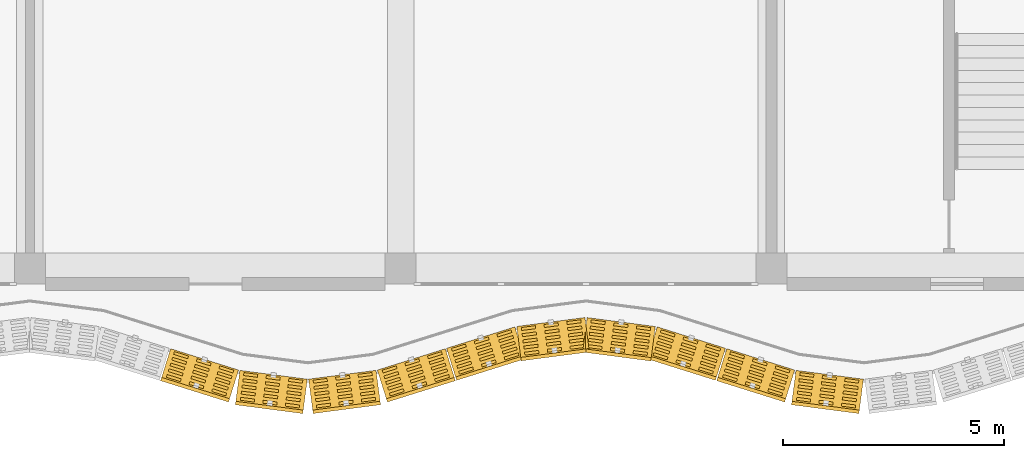
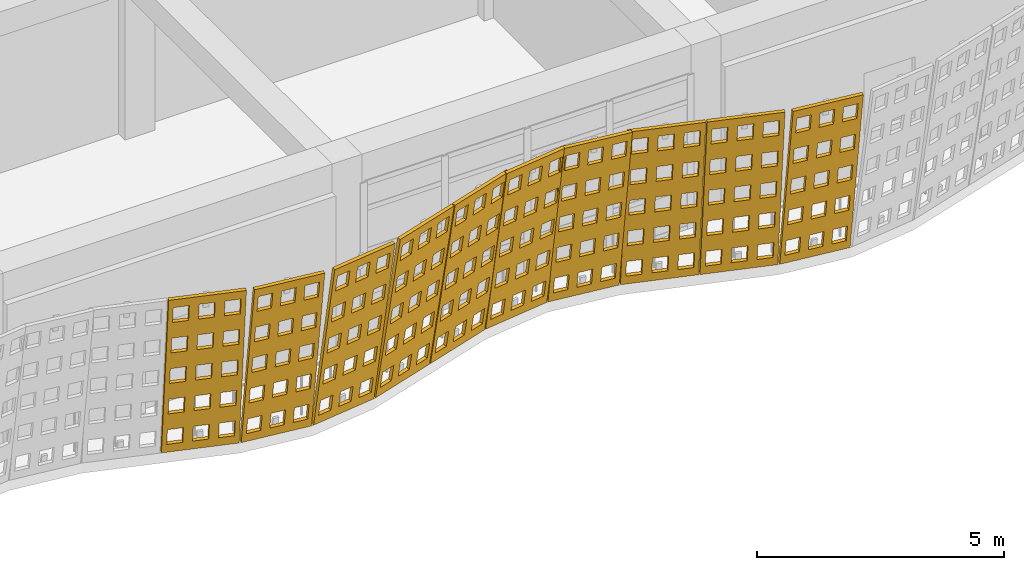
# One storey, part 153 of 163: 10 coverings.
"""IFC4 building model written with IfcOpenShell, lengths in metres."""

from ifc_helpers import new_model, si_unit, direction, frame, origin, place, context, subcontext, project, spatial, polyline, outline, extrude, material, layer, layer_set, type_object, element, save


model = new_model("IFC4")

# Units and contexts
model_context = context("Model", 3, precision=1e-05, world=origin(), true_north=direction((0.0, 1.0)))
body_context = subcontext(model_context, "Body", "Model", "MODEL_VIEW")
ifc_project = project(units=[si_unit("LENGTHUNIT", "METRE"), si_unit("AREAUNIT", "SQUARE_METRE"), si_unit("VOLUMEUNIT", "CUBIC_METRE"), si_unit("PLANEANGLEUNIT", "RADIAN"), si_unit("MASSUNIT", "GRAM", prefix="KILO")], contexts=[model_context])

# Site, building, storey
site_placement = place(None, origin())
site = spatial("IfcSite", under=ifc_project, at=site_placement, CompositionType="ELEMENT")
building_placement = place(site_placement, origin())
building = spatial("IfcBuilding", under=site, at=building_placement, Name="Rain Tree Exposition and Congress Centre", CompositionType="ELEMENT")
storey_placement = place(building_placement, frame((0.0, 0.0, 10.5)))
storey = spatial("IfcBuildingStorey", under=building, at=storey_placement, Name="L02", CompositionType="ELEMENT", Elevation=10.5)

# Coverings
ifc_material = material(Name="Perforated terracotta", Category="masonry")
ifc_layer = layer(ifc_material, 0.080078125)
ifc_layer_set = layer_set([ifc_layer], Name="Perforated terracotta")
covering_type = type_object("IfcCoveringType", Name="Terracotta screen 80", PredefinedType="CLADDING", material=ifc_layer_set)
covering_1_placement = place(storey_placement, frame((28.35009765625, -1.8876953125, 0.0), z_axis=(0.295717964052, 0.942029390639, 0.158529217842), x_axis=(-0.954094597562, 0.29950542383, 0.0)))
element("IfcCovering", 1, at=covering_1_placement, inside=storey, type_object=covering_type, Name="wing/screen/L02/019", PredefinedType="CLADDING", context=body_context, shape_type="SweptSolid", body=[
    extrude(outline(polyline([(-1.62890625, 0.0), (-1.62890625, 4.291259765625), (-0.014892578125, 4.291259765625), (-0.014892578125, 0.0), (-1.62890625, 0.0)]), holes=[polyline([(-0.1171875, 0.221435546875), (-0.1171875, 0.63671875), (-0.45068359375, 0.63671875), (-0.45068359375, 0.221435546875), (-0.1171875, 0.221435546875)]), polyline([(-0.1171875, 1.07958984375), (-0.1171875, 1.4951171875), (-0.45068359375, 1.4951171875), (-0.45068359375, 1.07958984375), (-0.1171875, 1.07958984375)]), polyline([(-0.1171875, 1.93798828125), (-0.1171875, 2.353271484375), (-0.45068359375, 2.353271484375), (-0.45068359375, 1.93798828125), (-0.1171875, 1.93798828125)]), polyline([(-0.1171875, 2.796142578125), (-0.1171875, 3.21142578125), (-0.45068359375, 3.21142578125), (-0.45068359375, 2.796142578125), (-0.1171875, 2.796142578125)]), polyline([(-0.1171875, 3.654541015625), (-0.1171875, 4.06982421875), (-0.45068359375, 4.06982421875), (-0.45068359375, 3.654541015625), (-0.1171875, 3.654541015625)]), polyline([(-0.6552734375, 0.221435546875), (-0.6552734375, 0.63671875), (-0.98876953125, 0.63671875), (-0.98876953125, 0.221435546875), (-0.6552734375, 0.221435546875)]), polyline([(-0.6552734375, 1.07958984375), (-0.6552734375, 1.4951171875), (-0.98876953125, 1.4951171875), (-0.98876953125, 1.07958984375), (-0.6552734375, 1.07958984375)]), polyline([(-0.6552734375, 1.93798828125), (-0.6552734375, 2.353271484375), (-0.98876953125, 2.353271484375), (-0.98876953125, 1.93798828125), (-0.6552734375, 1.93798828125)]), polyline([(-0.6552734375, 2.796142578125), (-0.6552734375, 3.21142578125), (-0.98876953125, 3.21142578125), (-0.98876953125, 2.796142578125), (-0.6552734375, 2.796142578125)]), polyline([(-0.6552734375, 3.654541015625), (-0.6552734375, 4.06982421875), (-0.98876953125, 4.06982421875), (-0.98876953125, 3.654541015625), (-0.6552734375, 3.654541015625)]), polyline([(-1.193115234375, 0.221435546875), (-1.193115234375, 0.63671875), (-1.526611328125, 0.63671875), (-1.526611328125, 0.221435546875), (-1.193115234375, 0.221435546875)]), polyline([(-1.193115234375, 1.07958984375), (-1.193115234375, 1.4951171875), (-1.526611328125, 1.4951171875), (-1.526611328125, 1.07958984375), (-1.193115234375, 1.07958984375)]), polyline([(-1.193115234375, 1.93798828125), (-1.193115234375, 2.353271484375), (-1.526611328125, 2.353271484375), (-1.526611328125, 1.93798828125), (-1.193115234375, 1.93798828125)]), polyline([(-1.193115234375, 2.796142578125), (-1.193115234375, 3.21142578125), (-1.526611328125, 3.21142578125), (-1.526611328125, 2.796142578125), (-1.193115234375, 2.796142578125)]), polyline([(-1.193115234375, 3.654541015625), (-1.193115234375, 4.06982421875), (-1.526611328125, 4.06982421875), (-1.526611328125, 3.654541015625), (-1.193115234375, 3.654541015625)])]), origin(), (0.0, 0.0, 1.0), 0.080078125),
])
covering_2_placement = place(storey_placement, frame((29.925048828125, -2.382568359375, 0.0), z_axis=(0.127967328105, 0.978036007662, 0.16452942185), x_axis=(-0.991548658387, 0.129735338481, 0.0)))
element("IfcCovering", 2, at=covering_2_placement, inside=storey, type_object=covering_type, Name="wing/screen/L02/020", PredefinedType="CLADDING", context=body_context, shape_type="SweptSolid", body=[
    extrude(outline(polyline([(-1.56298828125, 0.0), (-1.56298828125, 4.295166015625), (-0.02197265625, 4.295166015625), (-0.02197265625, 0.0), (-1.56298828125, 0.0)]), holes=[polyline([(-0.11962890625, 0.2216796875), (-0.11962890625, 0.63720703125), (-0.43798828125, 0.63720703125), (-0.43798828125, 0.2216796875), (-0.11962890625, 0.2216796875)]), polyline([(-0.11962890625, 1.080810546875), (-0.11962890625, 1.496337890625), (-0.43798828125, 1.496337890625), (-0.43798828125, 1.080810546875), (-0.11962890625, 1.080810546875)]), polyline([(-0.11962890625, 1.939697265625), (-0.11962890625, 2.35546875), (-0.43798828125, 2.35546875), (-0.43798828125, 1.939697265625), (-0.11962890625, 1.939697265625)]), polyline([(-0.11962890625, 2.798583984375), (-0.11962890625, 3.21435546875), (-0.43798828125, 3.21435546875), (-0.43798828125, 2.798583984375), (-0.11962890625, 2.798583984375)]), polyline([(-0.11962890625, 3.65771484375), (-0.11962890625, 4.073486328125), (-0.43798828125, 4.073486328125), (-0.43798828125, 3.65771484375), (-0.11962890625, 3.65771484375)]), polyline([(-0.63330078125, 0.2216796875), (-0.63330078125, 0.63720703125), (-0.95166015625, 0.63720703125), (-0.95166015625, 0.2216796875), (-0.63330078125, 0.2216796875)]), polyline([(-0.63330078125, 1.080810546875), (-0.63330078125, 1.496337890625), (-0.95166015625, 1.496337890625), (-0.95166015625, 1.080810546875), (-0.63330078125, 1.080810546875)]), polyline([(-0.63330078125, 1.939697265625), (-0.63330078125, 2.35546875), (-0.95166015625, 2.35546875), (-0.95166015625, 1.939697265625), (-0.63330078125, 1.939697265625)]), polyline([(-0.63330078125, 2.798583984375), (-0.63330078125, 3.21435546875), (-0.95166015625, 3.21435546875), (-0.95166015625, 2.798583984375), (-0.63330078125, 2.798583984375)]), polyline([(-0.63330078125, 3.65771484375), (-0.63330078125, 4.073486328125), (-0.95166015625, 4.073486328125), (-0.95166015625, 3.65771484375), (-0.63330078125, 3.65771484375)]), polyline([(-1.146728515625, 0.2216796875), (-1.146728515625, 0.63720703125), (-1.46533203125, 0.63720703125), (-1.46533203125, 0.2216796875), (-1.146728515625, 0.2216796875)]), polyline([(-1.146728515625, 1.080810546875), (-1.146728515625, 1.496337890625), (-1.46533203125, 1.496337890625), (-1.46533203125, 1.080810546875), (-1.146728515625, 1.080810546875)]), polyline([(-1.146728515625, 1.939697265625), (-1.146728515625, 2.35546875), (-1.46533203125, 2.35546875), (-1.46533203125, 1.939697265625), (-1.146728515625, 1.939697265625)]), polyline([(-1.146728515625, 2.798583984375), (-1.146728515625, 3.21435546875), (-1.46533203125, 3.21435546875), (-1.46533203125, 2.798583984375), (-1.146728515625, 2.798583984375)]), polyline([(-1.146728515625, 3.65771484375), (-1.146728515625, 4.073486328125), (-1.46533203125, 4.073486328125), (-1.46533203125, 3.65771484375), (-1.146728515625, 3.65771484375)])]), origin(), (0.0, 0.0, 1.0), 0.080078125),
])
covering_3_placement = place(storey_placement, frame((31.5, -2.587646484375, 0.0), z_axis=(-0.127967328105, 0.978036007662, 0.16452942185), x_axis=(-0.991548658387, -0.129735338481, 0.0)))
element("IfcCovering", 3, at=covering_3_placement, inside=storey, type_object=covering_type, Name="wing/screen/L02/021", PredefinedType="CLADDING", context=body_context, shape_type="SweptSolid", body=[
    extrude(outline(polyline([(-1.56640625, 0.0), (-1.56640625, 4.295166015625), (-0.025390625, 4.295166015625), (-0.025390625, 0.0), (-1.56640625, 0.0)]), holes=[polyline([(-0.123046875, 0.2216796875), (-0.123046875, 0.63720703125), (-0.44140625, 0.63720703125), (-0.44140625, 0.2216796875), (-0.123046875, 0.2216796875)]), polyline([(-0.123046875, 1.080810546875), (-0.123046875, 1.496337890625), (-0.44140625, 1.496337890625), (-0.44140625, 1.080810546875), (-0.123046875, 1.080810546875)]), polyline([(-0.123046875, 1.939697265625), (-0.123046875, 2.35546875), (-0.44140625, 2.35546875), (-0.44140625, 1.939697265625), (-0.123046875, 1.939697265625)]), polyline([(-0.123046875, 2.798583984375), (-0.123046875, 3.21435546875), (-0.44140625, 3.21435546875), (-0.44140625, 2.798583984375), (-0.123046875, 2.798583984375)]), polyline([(-0.123046875, 3.65771484375), (-0.123046875, 4.073486328125), (-0.44140625, 4.073486328125), (-0.44140625, 3.65771484375), (-0.123046875, 3.65771484375)]), polyline([(-0.63671875, 0.2216796875), (-0.63671875, 0.63720703125), (-0.955078125, 0.63720703125), (-0.955078125, 0.2216796875), (-0.63671875, 0.2216796875)]), polyline([(-0.63671875, 1.080810546875), (-0.63671875, 1.496337890625), (-0.955078125, 1.496337890625), (-0.955078125, 1.080810546875), (-0.63671875, 1.080810546875)]), polyline([(-0.63671875, 1.939697265625), (-0.63671875, 2.35546875), (-0.955078125, 2.35546875), (-0.955078125, 1.939697265625), (-0.63671875, 1.939697265625)]), polyline([(-0.63671875, 2.798583984375), (-0.63671875, 3.21435546875), (-0.955078125, 3.21435546875), (-0.955078125, 2.798583984375), (-0.63671875, 2.798583984375)]), polyline([(-0.63671875, 3.65771484375), (-0.63671875, 4.073486328125), (-0.955078125, 4.073486328125), (-0.955078125, 3.65771484375), (-0.63671875, 3.65771484375)]), polyline([(-1.150146484375, 0.2216796875), (-1.150146484375, 0.63720703125), (-1.46875, 0.63720703125), (-1.46875, 0.2216796875), (-1.150146484375, 0.2216796875)]), polyline([(-1.150146484375, 1.080810546875), (-1.150146484375, 1.496337890625), (-1.46875, 1.496337890625), (-1.46875, 1.080810546875), (-1.150146484375, 1.080810546875)]), polyline([(-1.150146484375, 1.939697265625), (-1.150146484375, 2.35546875), (-1.46875, 2.35546875), (-1.46875, 1.939697265625), (-1.150146484375, 1.939697265625)]), polyline([(-1.150146484375, 2.798583984375), (-1.150146484375, 3.21435546875), (-1.46875, 3.21435546875), (-1.46875, 2.798583984375), (-1.150146484375, 2.798583984375)]), polyline([(-1.150146484375, 3.65771484375), (-1.150146484375, 4.073486328125), (-1.46875, 4.073486328125), (-1.46875, 3.65771484375), (-1.150146484375, 3.65771484375)])]), origin(), (0.0, 0.0, 1.0), 0.080078125),
])
covering_4_placement = place(storey_placement, frame((33.074951171875, -2.382568359375, 0.0), z_axis=(-0.295717964052, 0.942029390639, 0.158529217842), x_axis=(-0.954094597562, -0.29950542383, 0.0)))
element("IfcCovering", 4, at=covering_4_placement, inside=storey, type_object=covering_type, Name="wing/screen/L02/022", PredefinedType="CLADDING", context=body_context, shape_type="SweptSolid", body=[
    extrude(outline(polyline([(-1.635986328125, 0.0), (-1.635986328125, 4.291259765625), (-0.02197265625, 4.291259765625), (-0.02197265625, 0.0), (-1.635986328125, 0.0)]), holes=[polyline([(-0.124267578125, 0.221435546875), (-0.124267578125, 0.63671875), (-0.457763671875, 0.63671875), (-0.457763671875, 0.221435546875), (-0.124267578125, 0.221435546875)]), polyline([(-0.124267578125, 1.07958984375), (-0.124267578125, 1.4951171875), (-0.457763671875, 1.4951171875), (-0.457763671875, 1.07958984375), (-0.124267578125, 1.07958984375)]), polyline([(-0.124267578125, 1.93798828125), (-0.124267578125, 2.353271484375), (-0.457763671875, 2.353271484375), (-0.457763671875, 1.93798828125), (-0.124267578125, 1.93798828125)]), polyline([(-0.124267578125, 2.796142578125), (-0.124267578125, 3.21142578125), (-0.457763671875, 3.21142578125), (-0.457763671875, 2.796142578125), (-0.124267578125, 2.796142578125)]), polyline([(-0.124267578125, 3.654541015625), (-0.124267578125, 4.06982421875), (-0.457763671875, 4.06982421875), (-0.457763671875, 3.654541015625), (-0.124267578125, 3.654541015625)]), polyline([(-0.662109375, 0.221435546875), (-0.662109375, 0.63671875), (-0.995849609375, 0.63671875), (-0.995849609375, 0.221435546875), (-0.662109375, 0.221435546875)]), polyline([(-0.662109375, 1.07958984375), (-0.662109375, 1.4951171875), (-0.995849609375, 1.4951171875), (-0.995849609375, 1.07958984375), (-0.662109375, 1.07958984375)]), polyline([(-0.662109375, 1.93798828125), (-0.662109375, 2.353271484375), (-0.995849609375, 2.353271484375), (-0.995849609375, 1.93798828125), (-0.662109375, 1.93798828125)]), polyline([(-0.662109375, 2.796142578125), (-0.662109375, 3.21142578125), (-0.995849609375, 3.21142578125), (-0.995849609375, 2.796142578125), (-0.662109375, 2.796142578125)]), polyline([(-0.662109375, 3.654541015625), (-0.662109375, 4.06982421875), (-0.995849609375, 4.06982421875), (-0.995849609375, 3.654541015625), (-0.662109375, 3.654541015625)]), polyline([(-1.2001953125, 0.221435546875), (-1.2001953125, 0.63671875), (-1.53369140625, 0.63671875), (-1.53369140625, 0.221435546875), (-1.2001953125, 0.221435546875)]), polyline([(-1.2001953125, 1.07958984375), (-1.2001953125, 1.4951171875), (-1.53369140625, 1.4951171875), (-1.53369140625, 1.07958984375), (-1.2001953125, 1.07958984375)]), polyline([(-1.2001953125, 1.93798828125), (-1.2001953125, 2.353271484375), (-1.53369140625, 2.353271484375), (-1.53369140625, 1.93798828125), (-1.2001953125, 1.93798828125)]), polyline([(-1.2001953125, 2.796142578125), (-1.2001953125, 3.21142578125), (-1.53369140625, 3.21142578125), (-1.53369140625, 2.796142578125), (-1.2001953125, 2.796142578125)]), polyline([(-1.2001953125, 3.654541015625), (-1.2001953125, 4.06982421875), (-1.53369140625, 4.06982421875), (-1.53369140625, 3.654541015625), (-1.2001953125, 3.654541015625)])]), origin(), (0.0, 0.0, 1.0), 0.080078125),
])
covering_5_placement = place(storey_placement, frame((34.64990234375, -1.8876953125, 0.0), z_axis=(-0.295717964052, 0.942029390639, 0.158529217842), x_axis=(-0.954094597562, -0.29950542383, 0.0)))
element("IfcCovering", 5, at=covering_5_placement, inside=storey, type_object=covering_type, Name="wing/screen/L02/023", PredefinedType="CLADDING", context=body_context, shape_type="SweptSolid", body=[
    extrude(outline(polyline([(-1.635986328125, 0.0), (-1.635986328125, 4.291259765625), (-0.014892578125, 4.291259765625), (-0.014892578125, 0.0), (-1.635986328125, 0.0)]), holes=[polyline([(-0.11767578125, 0.221435546875), (-0.11767578125, 0.63671875), (-0.45263671875, 0.63671875), (-0.45263671875, 0.221435546875), (-0.11767578125, 0.221435546875)]), polyline([(-0.11767578125, 1.07958984375), (-0.11767578125, 1.4951171875), (-0.45263671875, 1.4951171875), (-0.45263671875, 1.07958984375), (-0.11767578125, 1.07958984375)]), polyline([(-0.11767578125, 1.93798828125), (-0.11767578125, 2.353271484375), (-0.45263671875, 2.353271484375), (-0.45263671875, 1.93798828125), (-0.11767578125, 1.93798828125)]), polyline([(-0.11767578125, 2.796142578125), (-0.11767578125, 3.21142578125), (-0.45263671875, 3.21142578125), (-0.45263671875, 2.796142578125), (-0.11767578125, 2.796142578125)]), polyline([(-0.11767578125, 3.654541015625), (-0.11767578125, 4.06982421875), (-0.45263671875, 4.06982421875), (-0.45263671875, 3.654541015625), (-0.11767578125, 3.654541015625)]), polyline([(-0.657958984375, 0.221435546875), (-0.657958984375, 0.63671875), (-0.992919921875, 0.63671875), (-0.992919921875, 0.221435546875), (-0.657958984375, 0.221435546875)]), polyline([(-0.657958984375, 1.07958984375), (-0.657958984375, 1.4951171875), (-0.992919921875, 1.4951171875), (-0.992919921875, 1.07958984375), (-0.657958984375, 1.07958984375)]), polyline([(-0.657958984375, 1.93798828125), (-0.657958984375, 2.353271484375), (-0.992919921875, 2.353271484375), (-0.992919921875, 1.93798828125), (-0.657958984375, 1.93798828125)]), polyline([(-0.657958984375, 2.796142578125), (-0.657958984375, 3.21142578125), (-0.992919921875, 3.21142578125), (-0.992919921875, 2.796142578125), (-0.657958984375, 2.796142578125)]), polyline([(-0.657958984375, 3.654541015625), (-0.657958984375, 4.06982421875), (-0.992919921875, 4.06982421875), (-0.992919921875, 3.654541015625), (-0.657958984375, 3.654541015625)]), polyline([(-1.1982421875, 0.221435546875), (-1.1982421875, 0.63671875), (-1.533203125, 0.63671875), (-1.533203125, 0.221435546875), (-1.1982421875, 0.221435546875)]), polyline([(-1.1982421875, 1.07958984375), (-1.1982421875, 1.4951171875), (-1.533203125, 1.4951171875), (-1.533203125, 1.07958984375), (-1.1982421875, 1.07958984375)]), polyline([(-1.1982421875, 1.93798828125), (-1.1982421875, 2.353271484375), (-1.533203125, 2.353271484375), (-1.533203125, 1.93798828125), (-1.1982421875, 1.93798828125)]), polyline([(-1.1982421875, 2.796142578125), (-1.1982421875, 3.21142578125), (-1.533203125, 3.21142578125), (-1.533203125, 2.796142578125), (-1.1982421875, 2.796142578125)]), polyline([(-1.1982421875, 3.654541015625), (-1.1982421875, 4.06982421875), (-1.533203125, 4.06982421875), (-1.533203125, 3.654541015625), (-1.1982421875, 3.654541015625)])]), origin(), (0.0, 0.0, 1.0), 0.080078125),
])
covering_6_placement = place(storey_placement, frame((36.22509765625, -1.392578125, 0.0), z_axis=(-0.127967328105, 0.978036007662, 0.16452942185), x_axis=(-0.991548658387, -0.129735338481, 0.0)))
element("IfcCovering", 6, at=covering_6_placement, inside=storey, type_object=covering_type, Name="wing/screen/L02/024", PredefinedType="CLADDING", context=body_context, shape_type="SweptSolid", body=[
    extrude(outline(polyline([(-1.5732421875, 0.0), (-1.5732421875, 4.295166015625), (-0.014892578125, 4.295166015625), (-0.014892578125, 0.0), (-1.5732421875, 0.0)]), holes=[polyline([(-0.11376953125, 0.2216796875), (-0.11376953125, 0.63720703125), (-0.435791015625, 0.63720703125), (-0.435791015625, 0.2216796875), (-0.11376953125, 0.2216796875)]), polyline([(-0.11376953125, 1.080810546875), (-0.11376953125, 1.496337890625), (-0.435791015625, 1.496337890625), (-0.435791015625, 1.080810546875), (-0.11376953125, 1.080810546875)]), polyline([(-0.11376953125, 1.939697265625), (-0.11376953125, 2.35546875), (-0.435791015625, 2.35546875), (-0.435791015625, 1.939697265625), (-0.11376953125, 1.939697265625)]), polyline([(-0.11376953125, 2.798583984375), (-0.11376953125, 3.21435546875), (-0.435791015625, 3.21435546875), (-0.435791015625, 2.798583984375), (-0.11376953125, 2.798583984375)]), polyline([(-0.11376953125, 3.65771484375), (-0.11376953125, 4.073486328125), (-0.435791015625, 4.073486328125), (-0.435791015625, 3.65771484375), (-0.11376953125, 3.65771484375)]), polyline([(-0.633056640625, 0.2216796875), (-0.633056640625, 0.63720703125), (-0.955078125, 0.63720703125), (-0.955078125, 0.2216796875), (-0.633056640625, 0.2216796875)]), polyline([(-0.633056640625, 1.080810546875), (-0.633056640625, 1.496337890625), (-0.955078125, 1.496337890625), (-0.955078125, 1.080810546875), (-0.633056640625, 1.080810546875)]), polyline([(-0.633056640625, 1.939697265625), (-0.633056640625, 2.35546875), (-0.955078125, 2.35546875), (-0.955078125, 1.939697265625), (-0.633056640625, 1.939697265625)]), polyline([(-0.633056640625, 2.798583984375), (-0.633056640625, 3.21435546875), (-0.955078125, 3.21435546875), (-0.955078125, 2.798583984375), (-0.633056640625, 2.798583984375)]), polyline([(-0.633056640625, 3.65771484375), (-0.633056640625, 4.073486328125), (-0.955078125, 4.073486328125), (-0.955078125, 3.65771484375), (-0.633056640625, 3.65771484375)]), polyline([(-1.152587890625, 0.2216796875), (-1.152587890625, 0.63720703125), (-1.474609375, 0.63720703125), (-1.474609375, 0.2216796875), (-1.152587890625, 0.2216796875)]), polyline([(-1.152587890625, 1.080810546875), (-1.152587890625, 1.496337890625), (-1.474609375, 1.496337890625), (-1.474609375, 1.080810546875), (-1.152587890625, 1.080810546875)]), polyline([(-1.152587890625, 1.939697265625), (-1.152587890625, 2.35546875), (-1.474609375, 2.35546875), (-1.474609375, 1.939697265625), (-1.152587890625, 1.939697265625)]), polyline([(-1.152587890625, 2.798583984375), (-1.152587890625, 3.21435546875), (-1.474609375, 3.21435546875), (-1.474609375, 2.798583984375), (-1.152587890625, 2.798583984375)]), polyline([(-1.152587890625, 3.65771484375), (-1.152587890625, 4.073486328125), (-1.474609375, 4.073486328125), (-1.474609375, 3.65771484375), (-1.152587890625, 3.65771484375)])]), origin(), (0.0, 0.0, 1.0), 0.080078125),
])
covering_7_placement = place(storey_placement, frame((37.800048828125, -1.1875, 0.0), z_axis=(0.128349774249, 0.9779030419, 0.165021138321), x_axis=(-0.991496427865, 0.130133906157, 0.0)))
element("IfcCovering", 7, at=covering_7_placement, inside=storey, type_object=covering_type, Name="wing/screen/L02/025", PredefinedType="CLADDING", context=body_context, shape_type="SweptSolid", body=[
    extrude(outline(polyline([(-1.5732421875, 0.0), (-1.5732421875, 4.295166015625), (-0.014892578125, 4.295166015625), (-0.014892578125, 0.0), (-1.5732421875, 0.0)]), holes=[polyline([(-0.11376953125, 0.2216796875), (-0.11376953125, 0.63720703125), (-0.435791015625, 0.63720703125), (-0.435791015625, 0.2216796875), (-0.11376953125, 0.2216796875)]), polyline([(-0.11376953125, 1.080810546875), (-0.11376953125, 1.496337890625), (-0.435791015625, 1.496337890625), (-0.435791015625, 1.080810546875), (-0.11376953125, 1.080810546875)]), polyline([(-0.11376953125, 1.939697265625), (-0.11376953125, 2.35546875), (-0.435791015625, 2.35546875), (-0.435791015625, 1.939697265625), (-0.11376953125, 1.939697265625)]), polyline([(-0.11376953125, 2.798583984375), (-0.11376953125, 3.21435546875), (-0.435791015625, 3.21435546875), (-0.435791015625, 2.798583984375), (-0.11376953125, 2.798583984375)]), polyline([(-0.11376953125, 3.65771484375), (-0.11376953125, 4.073486328125), (-0.435791015625, 4.073486328125), (-0.435791015625, 3.65771484375), (-0.11376953125, 3.65771484375)]), polyline([(-0.633056640625, 0.2216796875), (-0.633056640625, 0.63720703125), (-0.955078125, 0.63720703125), (-0.955078125, 0.2216796875), (-0.633056640625, 0.2216796875)]), polyline([(-0.633056640625, 1.080810546875), (-0.633056640625, 1.496337890625), (-0.955078125, 1.496337890625), (-0.955078125, 1.080810546875), (-0.633056640625, 1.080810546875)]), polyline([(-0.633056640625, 1.939697265625), (-0.633056640625, 2.35546875), (-0.955078125, 2.35546875), (-0.955078125, 1.939697265625), (-0.633056640625, 1.939697265625)]), polyline([(-0.633056640625, 2.798583984375), (-0.633056640625, 3.21435546875), (-0.955078125, 3.21435546875), (-0.955078125, 2.798583984375), (-0.633056640625, 2.798583984375)]), polyline([(-0.633056640625, 3.65771484375), (-0.633056640625, 4.073486328125), (-0.955078125, 4.073486328125), (-0.955078125, 3.65771484375), (-0.633056640625, 3.65771484375)]), polyline([(-1.152587890625, 0.2216796875), (-1.152587890625, 0.63720703125), (-1.474609375, 0.63720703125), (-1.474609375, 0.2216796875), (-1.152587890625, 0.2216796875)]), polyline([(-1.152587890625, 1.080810546875), (-1.152587890625, 1.496337890625), (-1.474609375, 1.496337890625), (-1.474609375, 1.080810546875), (-1.152587890625, 1.080810546875)]), polyline([(-1.152587890625, 1.939697265625), (-1.152587890625, 2.35546875), (-1.474609375, 2.35546875), (-1.474609375, 1.939697265625), (-1.152587890625, 1.939697265625)]), polyline([(-1.152587890625, 2.798583984375), (-1.152587890625, 3.21435546875), (-1.474609375, 3.21435546875), (-1.474609375, 2.798583984375), (-1.152587890625, 2.798583984375)]), polyline([(-1.152587890625, 3.65771484375), (-1.152587890625, 4.073486328125), (-1.474609375, 4.073486328125), (-1.474609375, 3.65771484375), (-1.152587890625, 3.65771484375)])]), origin(), (0.0, 0.0, 1.0), 0.079833984375),
])
covering_8_placement = place(storey_placement, frame((39.375, -1.392578125, 0.0), z_axis=(0.295717964052, 0.942029390639, 0.158529217842), x_axis=(-0.954094597562, 0.29950542383, 0.0)))
element("IfcCovering", 8, at=covering_8_placement, inside=storey, type_object=covering_type, Name="wing/screen/L02/026", PredefinedType="CLADDING", context=body_context, shape_type="SweptSolid", body=[
    extrude(outline(polyline([(-1.635986328125, 0.0), (-1.635986328125, 4.291259765625), (-0.014892578125, 4.291259765625), (-0.014892578125, 0.0), (-1.635986328125, 0.0)]), holes=[polyline([(-0.11767578125, 0.221435546875), (-0.11767578125, 0.63671875), (-0.45263671875, 0.63671875), (-0.45263671875, 0.221435546875), (-0.11767578125, 0.221435546875)]), polyline([(-0.11767578125, 1.07958984375), (-0.11767578125, 1.4951171875), (-0.45263671875, 1.4951171875), (-0.45263671875, 1.07958984375), (-0.11767578125, 1.07958984375)]), polyline([(-0.11767578125, 1.93798828125), (-0.11767578125, 2.353271484375), (-0.45263671875, 2.353271484375), (-0.45263671875, 1.93798828125), (-0.11767578125, 1.93798828125)]), polyline([(-0.11767578125, 2.796142578125), (-0.11767578125, 3.21142578125), (-0.45263671875, 3.21142578125), (-0.45263671875, 2.796142578125), (-0.11767578125, 2.796142578125)]), polyline([(-0.11767578125, 3.654541015625), (-0.11767578125, 4.06982421875), (-0.45263671875, 4.06982421875), (-0.45263671875, 3.654541015625), (-0.11767578125, 3.654541015625)]), polyline([(-0.657958984375, 0.221435546875), (-0.657958984375, 0.63671875), (-0.992919921875, 0.63671875), (-0.992919921875, 0.221435546875), (-0.657958984375, 0.221435546875)]), polyline([(-0.657958984375, 1.07958984375), (-0.657958984375, 1.4951171875), (-0.992919921875, 1.4951171875), (-0.992919921875, 1.07958984375), (-0.657958984375, 1.07958984375)]), polyline([(-0.657958984375, 1.93798828125), (-0.657958984375, 2.353271484375), (-0.992919921875, 2.353271484375), (-0.992919921875, 1.93798828125), (-0.657958984375, 1.93798828125)]), polyline([(-0.657958984375, 2.796142578125), (-0.657958984375, 3.21142578125), (-0.992919921875, 3.21142578125), (-0.992919921875, 2.796142578125), (-0.657958984375, 2.796142578125)]), polyline([(-0.657958984375, 3.654541015625), (-0.657958984375, 4.06982421875), (-0.992919921875, 4.06982421875), (-0.992919921875, 3.654541015625), (-0.657958984375, 3.654541015625)]), polyline([(-1.1982421875, 0.221435546875), (-1.1982421875, 0.63671875), (-1.533203125, 0.63671875), (-1.533203125, 0.221435546875), (-1.1982421875, 0.221435546875)]), polyline([(-1.1982421875, 1.07958984375), (-1.1982421875, 1.4951171875), (-1.533203125, 1.4951171875), (-1.533203125, 1.07958984375), (-1.1982421875, 1.07958984375)]), polyline([(-1.1982421875, 1.93798828125), (-1.1982421875, 2.353271484375), (-1.533203125, 2.353271484375), (-1.533203125, 1.93798828125), (-1.1982421875, 1.93798828125)]), polyline([(-1.1982421875, 2.796142578125), (-1.1982421875, 3.21142578125), (-1.533203125, 3.21142578125), (-1.533203125, 2.796142578125), (-1.1982421875, 2.796142578125)]), polyline([(-1.1982421875, 3.654541015625), (-1.1982421875, 4.06982421875), (-1.533203125, 4.06982421875), (-1.533203125, 3.654541015625), (-1.1982421875, 3.654541015625)])]), origin(), (0.0, 0.0, 1.0), 0.080078125),
])
covering_9_placement = place(storey_placement, frame((40.949951171875, -1.8876953125, 0.0), z_axis=(0.295717964052, 0.942029390639, 0.158529217842), x_axis=(-0.954094597562, 0.29950542383, 0.0)))
element("IfcCovering", 9, at=covering_9_placement, inside=storey, type_object=covering_type, Name="wing/screen/L02/027", PredefinedType="CLADDING", context=body_context, shape_type="SweptSolid", body=[
    extrude(outline(polyline([(-1.62890625, 0.0), (-1.62890625, 4.291259765625), (-0.014892578125, 4.291259765625), (-0.014892578125, 0.0), (-1.62890625, 0.0)]), holes=[polyline([(-0.1171875, 0.221435546875), (-0.1171875, 0.63671875), (-0.45068359375, 0.63671875), (-0.45068359375, 0.221435546875), (-0.1171875, 0.221435546875)]), polyline([(-0.1171875, 1.07958984375), (-0.1171875, 1.4951171875), (-0.45068359375, 1.4951171875), (-0.45068359375, 1.07958984375), (-0.1171875, 1.07958984375)]), polyline([(-0.1171875, 1.93798828125), (-0.1171875, 2.353271484375), (-0.45068359375, 2.353271484375), (-0.45068359375, 1.93798828125), (-0.1171875, 1.93798828125)]), polyline([(-0.1171875, 2.796142578125), (-0.1171875, 3.21142578125), (-0.45068359375, 3.21142578125), (-0.45068359375, 2.796142578125), (-0.1171875, 2.796142578125)]), polyline([(-0.1171875, 3.654541015625), (-0.1171875, 4.06982421875), (-0.45068359375, 4.06982421875), (-0.45068359375, 3.654541015625), (-0.1171875, 3.654541015625)]), polyline([(-0.6552734375, 0.221435546875), (-0.6552734375, 0.63671875), (-0.98876953125, 0.63671875), (-0.98876953125, 0.221435546875), (-0.6552734375, 0.221435546875)]), polyline([(-0.6552734375, 1.07958984375), (-0.6552734375, 1.4951171875), (-0.98876953125, 1.4951171875), (-0.98876953125, 1.07958984375), (-0.6552734375, 1.07958984375)]), polyline([(-0.6552734375, 1.93798828125), (-0.6552734375, 2.353271484375), (-0.98876953125, 2.353271484375), (-0.98876953125, 1.93798828125), (-0.6552734375, 1.93798828125)]), polyline([(-0.6552734375, 2.796142578125), (-0.6552734375, 3.21142578125), (-0.98876953125, 3.21142578125), (-0.98876953125, 2.796142578125), (-0.6552734375, 2.796142578125)]), polyline([(-0.6552734375, 3.654541015625), (-0.6552734375, 4.06982421875), (-0.98876953125, 4.06982421875), (-0.98876953125, 3.654541015625), (-0.6552734375, 3.654541015625)]), polyline([(-1.193115234375, 0.221435546875), (-1.193115234375, 0.63671875), (-1.526611328125, 0.63671875), (-1.526611328125, 0.221435546875), (-1.193115234375, 0.221435546875)]), polyline([(-1.193115234375, 1.07958984375), (-1.193115234375, 1.4951171875), (-1.526611328125, 1.4951171875), (-1.526611328125, 1.07958984375), (-1.193115234375, 1.07958984375)]), polyline([(-1.193115234375, 1.93798828125), (-1.193115234375, 2.353271484375), (-1.526611328125, 2.353271484375), (-1.526611328125, 1.93798828125), (-1.193115234375, 1.93798828125)]), polyline([(-1.193115234375, 2.796142578125), (-1.193115234375, 3.21142578125), (-1.526611328125, 3.21142578125), (-1.526611328125, 2.796142578125), (-1.193115234375, 2.796142578125)]), polyline([(-1.193115234375, 3.654541015625), (-1.193115234375, 4.06982421875), (-1.526611328125, 4.06982421875), (-1.526611328125, 3.654541015625), (-1.193115234375, 3.654541015625)])]), origin(), (0.0, 0.0, 1.0), 0.080078125),
])
covering_10_placement = place(storey_placement, frame((42.52490234375, -2.382568359375, 0.0), z_axis=(0.127967328105, 0.978036007662, 0.16452942185), x_axis=(-0.991548658387, 0.129735338481, 0.0)))
element("IfcCovering", 10, at=covering_10_placement, inside=storey, type_object=covering_type, Name="wing/screen/L02/028", PredefinedType="CLADDING", context=body_context, shape_type="SweptSolid", body=[
    extrude(outline(polyline([(-1.56298828125, 0.0), (-1.56298828125, 4.295166015625), (-0.02197265625, 4.295166015625), (-0.02197265625, 0.0), (-1.56298828125, 0.0)]), holes=[polyline([(-0.11962890625, 0.2216796875), (-0.11962890625, 0.63720703125), (-0.43798828125, 0.63720703125), (-0.43798828125, 0.2216796875), (-0.11962890625, 0.2216796875)]), polyline([(-0.11962890625, 1.080810546875), (-0.11962890625, 1.496337890625), (-0.43798828125, 1.496337890625), (-0.43798828125, 1.080810546875), (-0.11962890625, 1.080810546875)]), polyline([(-0.11962890625, 1.939697265625), (-0.11962890625, 2.35546875), (-0.43798828125, 2.35546875), (-0.43798828125, 1.939697265625), (-0.11962890625, 1.939697265625)]), polyline([(-0.11962890625, 2.798583984375), (-0.11962890625, 3.21435546875), (-0.43798828125, 3.21435546875), (-0.43798828125, 2.798583984375), (-0.11962890625, 2.798583984375)]), polyline([(-0.11962890625, 3.65771484375), (-0.11962890625, 4.073486328125), (-0.43798828125, 4.073486328125), (-0.43798828125, 3.65771484375), (-0.11962890625, 3.65771484375)]), polyline([(-0.63330078125, 0.2216796875), (-0.63330078125, 0.63720703125), (-0.95166015625, 0.63720703125), (-0.95166015625, 0.2216796875), (-0.63330078125, 0.2216796875)]), polyline([(-0.63330078125, 1.080810546875), (-0.63330078125, 1.496337890625), (-0.95166015625, 1.496337890625), (-0.95166015625, 1.080810546875), (-0.63330078125, 1.080810546875)]), polyline([(-0.63330078125, 1.939697265625), (-0.63330078125, 2.35546875), (-0.95166015625, 2.35546875), (-0.95166015625, 1.939697265625), (-0.63330078125, 1.939697265625)]), polyline([(-0.63330078125, 2.798583984375), (-0.63330078125, 3.21435546875), (-0.95166015625, 3.21435546875), (-0.95166015625, 2.798583984375), (-0.63330078125, 2.798583984375)]), polyline([(-0.63330078125, 3.65771484375), (-0.63330078125, 4.073486328125), (-0.95166015625, 4.073486328125), (-0.95166015625, 3.65771484375), (-0.63330078125, 3.65771484375)]), polyline([(-1.146728515625, 0.2216796875), (-1.146728515625, 0.63720703125), (-1.46533203125, 0.63720703125), (-1.46533203125, 0.2216796875), (-1.146728515625, 0.2216796875)]), polyline([(-1.146728515625, 1.080810546875), (-1.146728515625, 1.496337890625), (-1.46533203125, 1.496337890625), (-1.46533203125, 1.080810546875), (-1.146728515625, 1.080810546875)]), polyline([(-1.146728515625, 1.939697265625), (-1.146728515625, 2.35546875), (-1.46533203125, 2.35546875), (-1.46533203125, 1.939697265625), (-1.146728515625, 1.939697265625)]), polyline([(-1.146728515625, 2.798583984375), (-1.146728515625, 3.21435546875), (-1.46533203125, 3.21435546875), (-1.46533203125, 2.798583984375), (-1.146728515625, 2.798583984375)]), polyline([(-1.146728515625, 3.65771484375), (-1.146728515625, 4.073486328125), (-1.46533203125, 4.073486328125), (-1.46533203125, 3.65771484375), (-1.146728515625, 3.65771484375)])]), origin(), (0.0, 0.0, 1.0), 0.080078125),
])

save(model, "model.ifc")
